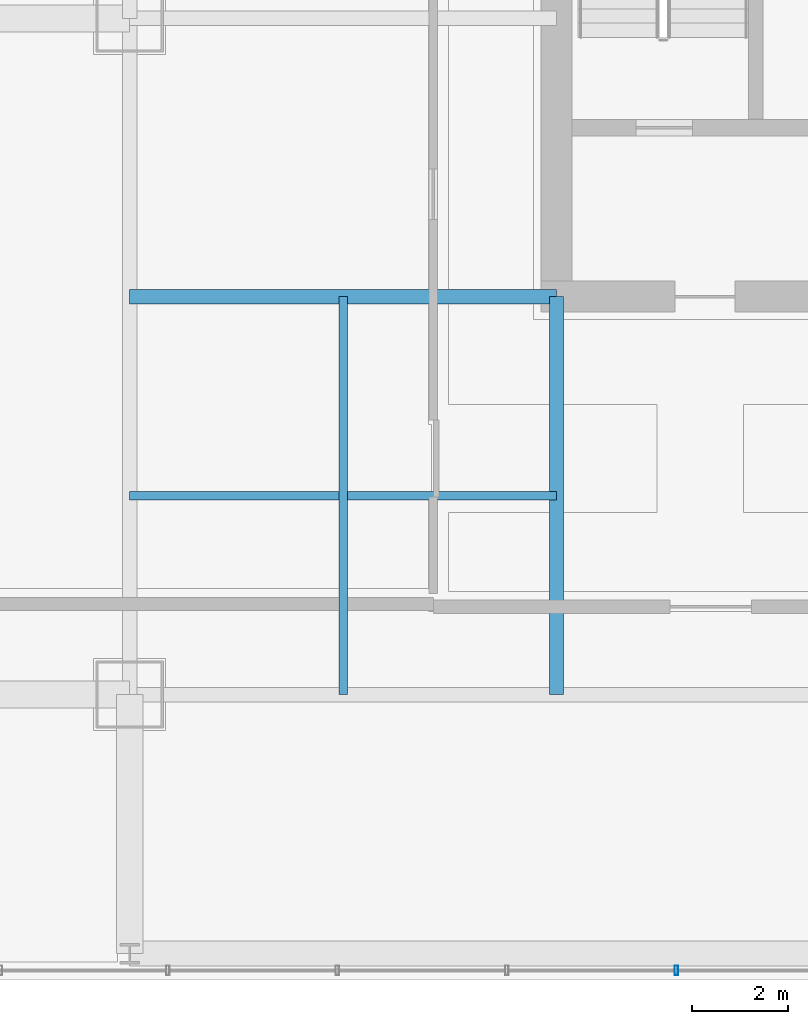
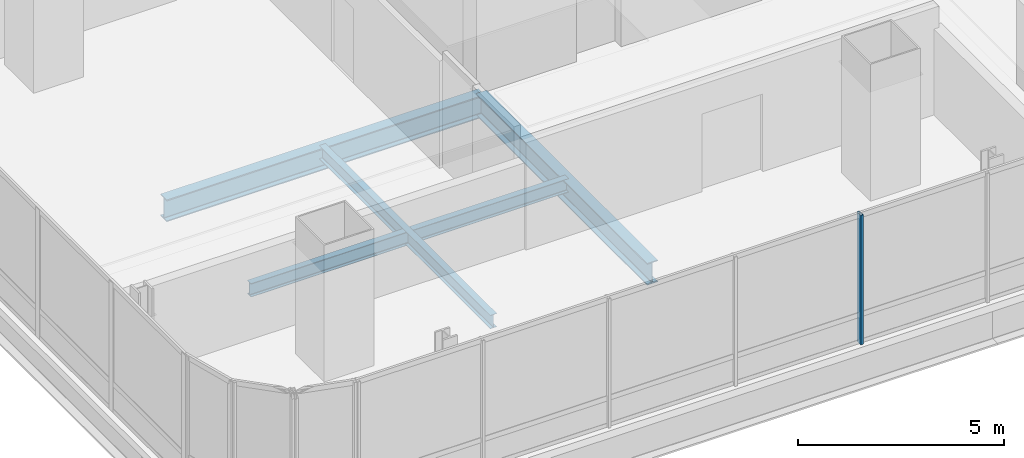
# One storey, part 5 of 36: 4 beams, 1 member, 1 element without a shape of its own.
"""IFC4 building model written with IfcOpenShell, lengths in metres."""

from ifc_helpers import new_model, si_unit, direction, frame, origin, origin_2d, place, context, subcontext, project, spatial, hollow_rectangle, i_section, extrude, material, material_profile, profile_set, type_object, element, aggregate, save


model = new_model("IFC4")

# Units and contexts
model_context = context("Model", 3, precision=1e-05, world=origin(), true_north=direction((0.0, 1.0)))
body_context = subcontext(model_context, "Body", "Model", "MODEL_VIEW")
ifc_project = project(units=[si_unit("LENGTHUNIT", "METRE"), si_unit("AREAUNIT", "SQUARE_METRE"), si_unit("VOLUMEUNIT", "CUBIC_METRE"), si_unit("PLANEANGLEUNIT", "RADIAN"), si_unit("MASSUNIT", "GRAM", prefix="KILO")], contexts=[model_context])

# Site, building, storey
site_placement = place(None, origin())
site = spatial("IfcSite", under=ifc_project, at=site_placement, CompositionType="ELEMENT")
building_placement = place(site_placement, origin())
building = spatial("IfcBuilding", under=site, at=building_placement, Name="Punatoya Terracotta Tower", CompositionType="ELEMENT")
storey_placement = place(building_placement, frame((0.0, 0.0, 196.5)))
storey = spatial("IfcBuildingStorey", under=building, at=storey_placement, Name="L46", CompositionType="ELEMENT", Elevation=196.5)

# Beams
ifc_material_1 = material(Name="Steel S355", Category="steel")
ifc_material_profile_1 = material_profile(ifc_material_1, i_section(OverallWidth=0.300048828125, OverallDepth=0.64990234375, WebThickness=0.01611328125, FlangeThickness=0.031005859375, FilletRadius=0.01806640625, at=origin_2d()))
ifc_profile_set_1 = profile_set([ifc_material_profile_1], Name="Steel S355")
beam_type_1 = type_object("IfcBeamType", Name="BM-PRI-650", PredefinedType="BEAM", material=ifc_profile_set_1)
beam_1_placement = place(storey_placement, frame((-19.10009765625, -9.199951171875, -0.544921875), z_axis=(1.0, 0.0, 0.0), x_axis=(0.0, 1.0, 0.0)))
element("IfcBeam", 1, at=beam_1_placement, inside=storey, type_object=beam_type_1, Name="BM-L46-PR-WS", PredefinedType="BEAM", context=body_context, shape_type="SweptSolid", body=[
    extrude(i_section(OverallWidth=0.300048828125, OverallDepth=0.64990234375, WebThickness=0.01611328125, FlangeThickness=0.031005859375, FilletRadius=0.01806640625, at=origin_2d()), origin(), (0.0, 0.0, 1.0), 8.900146484375),
])
beam_2_placement = place(storey_placement, frame((-10.199951171875, -17.5, -0.544921875), z_axis=(0.0, 1.0, 0.0), x_axis=(-1.0, 0.0, 0.0)))
element("IfcBeam", 2, at=beam_2_placement, inside=storey, type_object=beam_type_1, Name="BM-L46-PR-S1", PredefinedType="BEAM", context=body_context, shape_type="SweptSolid", body=[
    extrude(i_section(OverallWidth=0.300048828125, OverallDepth=0.64990234375, WebThickness=0.01611328125, FlangeThickness=0.031005859375, FilletRadius=0.01806640625, at=origin_2d()), origin(), (0.0, 0.0, 1.0), 8.300048828125),
])
ifc_material_profile_2 = material_profile(ifc_material_1, i_section(OverallWidth=0.179931640625, OverallDepth=0.39990234375, WebThickness=0.008544921875, FlangeThickness=0.013427734375, FilletRadius=0.01806640625, at=origin_2d()))
ifc_profile_set_2 = profile_set([ifc_material_profile_2], Name="Steel S355")
beam_type_2 = type_object("IfcBeamType", Name="BM-SEC-400", PredefinedType="JOIST", material=ifc_profile_set_2)
beam_3_placement = place(storey_placement, frame((-19.10009765625, -13.35009765625, -0.419921875), z_axis=(1.0, 0.0, 0.0), x_axis=(0.0, 1.0, 0.0)))
element("IfcBeam", 3, at=beam_3_placement, inside=storey, type_object=beam_type_2, Name="BM-L46-SJS-1", PredefinedType="JOIST", context=body_context, shape_type="SweptSolid", body=[
    extrude(i_section(OverallWidth=0.179931640625, OverallDepth=0.39990234375, WebThickness=0.008544921875, FlangeThickness=0.013427734375, FilletRadius=0.01806640625, at=origin_2d()), origin(), (0.0, 0.0, 1.0), 8.900146484375),
])
beam_4_placement = place(storey_placement, frame((-14.64990234375, -17.5, -0.419921875), z_axis=(0.0, 1.0, 0.0), x_axis=(-1.0, 0.0, 0.0)))
element("IfcBeam", 4, at=beam_4_placement, inside=storey, type_object=beam_type_2, Name="BM-L46-SJW-1", PredefinedType="JOIST", context=body_context, shape_type="SweptSolid", body=[
    extrude(i_section(OverallWidth=0.179931640625, OverallDepth=0.39990234375, WebThickness=0.008544921875, FlangeThickness=0.013427734375, FilletRadius=0.01806640625, at=origin_2d()), origin(), (0.0, 0.0, 1.0), 8.300048828125),
])

# Curtain wall, member
ifc_material_2 = material(Name="Aluminium 6063-T6 + Double Low-E Glass", Category="aluminium")
curtain_wall_type = type_object("IfcCurtainWallType", Name="CW-M2", PredefinedType="NOTDEFINED", material=ifc_material_2)
curtain_wall_placement = place(storey_placement, origin())
curtain_wall = element("IfcCurtainWall", 5, at=curtain_wall_placement, inside=storey, type_object=curtain_wall_type, Name="L46 Curtain Wall CW-L46-S01-1", PredefinedType="NOTDEFINED")
ifc_material_3 = material(Name="Aluminium 6063-T6", Category="aluminium")
ifc_material_profile_3 = material_profile(ifc_material_3, hollow_rectangle(XDim=0.072021484375, YDim=0.195068359375, WallThickness=0.00439453125, at=origin_2d()))
ifc_profile_set_3 = profile_set([ifc_material_profile_3], Name="Aluminium 6063-T6")
member_type = type_object("IfcMemberType", Name="CW-MUL-M2", PredefinedType="MULLION", material=ifc_profile_set_3)
member_placement = place(storey_placement, frame((-7.700927734375, -23.25, 0.0), z_axis=(0.0, 0.0, 1.0), x_axis=(1.0, 0.0, 0.0)))
member = element("IfcMember", 6, at=member_placement, type_object=member_type, Name="CW-L46-S01-1 Mullion 04", PredefinedType="MULLION", context=body_context, shape_type="SweptSolid", body=[
    extrude(hollow_rectangle(XDim=0.072021484375, YDim=0.195068359375, WallThickness=0.00439453125, at=origin_2d()), origin(), (0.0, 0.0, 1.0), 3.830078125),
])
aggregate(curtain_wall, [member])

save(model, "model.ifc")
